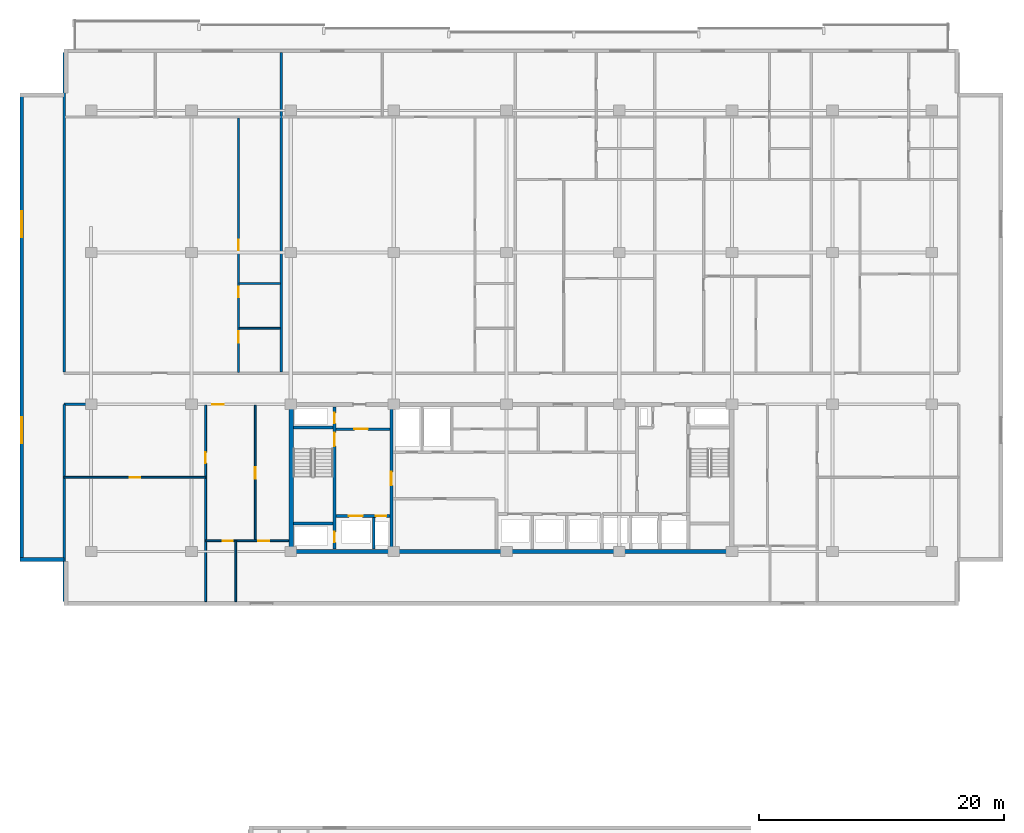
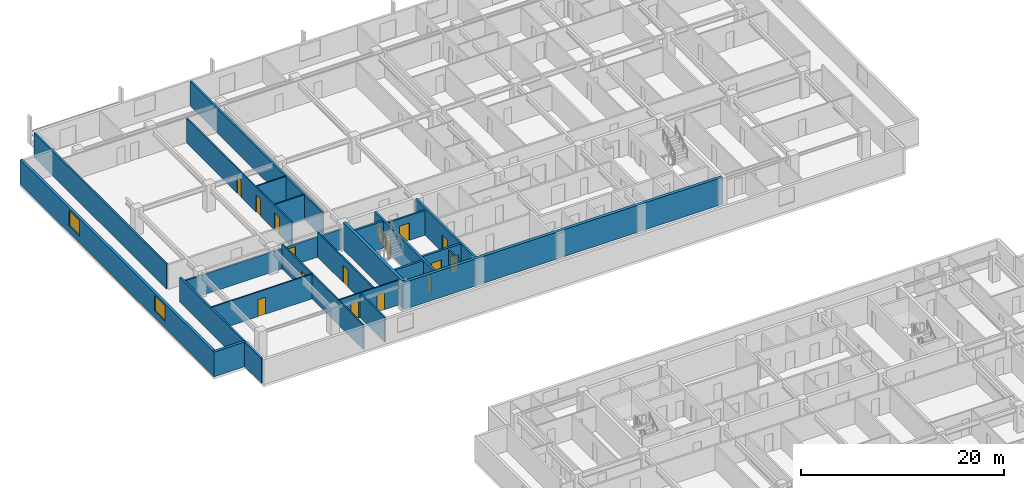
# One storey, part 10 of 21: 23 walls, 16 doors, 2 windows, 18 openings.
"""IFC4 building model written with IfcOpenShell, lengths in metres."""

from ifc_helpers import new_model, si_unit, direction, frame, frame_2d, origin, place, context, subcontext, project, spatial, rectangle, extrude, material, layer, layer_set, type_object, element, fill, save


model = new_model("IFC4")

# Units and contexts
model_context = context("Model", 3, precision=1e-05, world=origin(), true_north=direction((0.0, 1.0)))
body_context = subcontext(model_context, "Body", "Model", "MODEL_VIEW")
ifc_project = project(units=[si_unit("LENGTHUNIT", "METRE"), si_unit("AREAUNIT", "SQUARE_METRE"), si_unit("VOLUMEUNIT", "CUBIC_METRE"), si_unit("PLANEANGLEUNIT", "RADIAN"), si_unit("MASSUNIT", "GRAM", prefix="KILO")], contexts=[model_context])

# Site, building, storey
site_placement = place(None, origin())
site = spatial("IfcSite", under=ifc_project, at=site_placement, CompositionType="ELEMENT")
building_placement = place(site_placement, origin())
building = spatial("IfcBuilding", under=site, at=building_placement, Name="Korimba Cascade Residences", CompositionType="ELEMENT")
storey_placement = place(building_placement, frame((0.0, 0.0, 113.300048828125)))
storey = spatial("IfcBuildingStorey", under=building, at=storey_placement, Name="L32", CompositionType="ELEMENT", Elevation=113.300048828125)

# Wall, openings, windows
ifc_material_1 = material(Name="Precast concrete C40/50", Category="concrete")
ifc_layer_1 = layer(ifc_material_1, 0.300048828125)
ifc_layer_set_1 = layer_set([ifc_layer_1], Name="Precast concrete C40/50")
wall_type_1 = type_object("IfcWallType", Name="EW-STONE-300", PredefinedType="STANDARD", material=ifc_layer_set_1)
wall_1_placement = place(storey_placement, frame((54.14990234375, 92.60009765625, 0.0), z_axis=(0.0, 0.0, 1.0), x_axis=(0.0, -1.0, 0.0)))
wall_1 = element("IfcWall", 1, at=wall_1_placement, inside=storey, type_object=wall_type_1, Name="L32 T1 Perimeter Stone Wall E09", PredefinedType="STANDARD", context=body_context, shape_type="SweptSolid", body=[
    extrude(rectangle(XDim=38.2001953125, YDim=0.300048828125, at=frame_2d((19.10009765625, 0.0))), origin(), (0.0, 0.0, 1.0), 2.969970703125),
])
opening_1_placement = place(wall_1_placement, frame((9.64599609375, 0.0, 0.85009765625)))
opening_1 = element("IfcOpeningElement", 2, at=opening_1_placement, cuts=wall_1, Name="Opening W-03", PredefinedType="OPENING", context=body_context, shape_type="SweptSolid", body=[
    extrude(rectangle(XDim=2.10009765625, YDim=1.85009765625, at=frame_2d((1.050048828125, 0.925048828125))), frame((0.0, 0.16015625, 0.0), z_axis=(0.0, -1.0, 0.0), x_axis=(1.0, 0.0, 0.0)), (0.0, 0.0, 1.0), 0.320068359375),
])
opening_2_placement = place(wall_1_placement, frame((26.4541015625, 0.0, 0.85009765625)))
opening_2 = element("IfcOpeningElement", 3, at=opening_2_placement, cuts=wall_1, Name="Opening W-03", PredefinedType="OPENING", context=body_context, shape_type="SweptSolid", body=[
    extrude(rectangle(XDim=2.10009765625, YDim=1.85009765625, at=frame_2d((1.050048828125, 0.925048828125))), frame((0.0, 0.16015625, 0.0), z_axis=(0.0, -1.0, 0.0), x_axis=(1.0, 0.0, 0.0)), (0.0, 0.0, 1.0), 0.320068359375),
])
ifc_material_2 = material(Name="Double-Glazed Aluminium Window", Category="aluminium")
window_type = type_object("IfcWindowType", Name="WIN-CRN-2100", PartitioningType="DOUBLE_PANEL_HORIZONTAL", PredefinedType="WINDOW", material=ifc_material_2)
window_1_placement = place(opening_1_placement, origin())
window_1 = element("IfcWindow", 4, at=window_1_placement, inside=storey, type_object=window_type, Name="L32 T1 End View Window 9.1", OverallHeight=1.85009765625, OverallWidth=2.10009765625, PartitioningType="DOUBLE_PANEL_HORIZONTAL", PredefinedType="WINDOW", context=body_context, shape_type="SweptSolid", body=[
    extrude(rectangle(XDim=2.10009765625, YDim=1.85009765625, at=frame_2d((1.050048828125, 0.925048828125))), frame((0.0, 0.030029296875, 0.0), z_axis=(0.0, -1.0, 0.0), x_axis=(1.0, 0.0, 0.0)), (0.0, 0.0, 1.0), 0.06005859375),
])
fill(opening_1, window_1)
window_2_placement = place(opening_2_placement, origin())
window_2 = element("IfcWindow", 5, at=window_2_placement, inside=storey, type_object=window_type, Name="L32 T1 End View Window 9.2", OverallHeight=1.85009765625, OverallWidth=2.10009765625, PartitioningType="DOUBLE_PANEL_HORIZONTAL", PredefinedType="WINDOW", context=body_context, shape_type="SweptSolid", body=[
    extrude(rectangle(XDim=2.10009765625, YDim=1.85009765625, at=frame_2d((1.050048828125, 0.925048828125))), frame((0.0, 0.030029296875, 0.0), z_axis=(0.0, -1.0, 0.0), x_axis=(1.0, 0.0, 0.0)), (0.0, 0.0, 1.0), 0.06005859375),
])
fill(opening_2, window_2)

# Walls
wall_2_placement = place(storey_placement, frame((54.0, 54.550048828125, 0.0), z_axis=(0.0, 0.0, 1.0), x_axis=(1.0, 0.0, 0.0)))
element("IfcWall", 6, at=wall_2_placement, inside=storey, type_object=wall_type_1, Name="L32 T1 Perimeter Stone Wall E10", PredefinedType="STANDARD", context=body_context, shape_type="SweptSolid", body=[
    extrude(rectangle(XDim=3.60009765625, YDim=0.300048828125, at=frame_2d((1.800048828125, 0.0))), origin(), (0.0, 0.0, 1.0), 2.969970703125),
])
ifc_material_3 = material(Name="Concrete C65/80", Category="concrete")
ifc_layer_2 = layer(ifc_material_3, 0.35009765625)
ifc_layer_set_2 = layer_set([ifc_layer_2], Name="Concrete C65/80")
wall_type_2 = type_object("IfcWallType", Name="WAL-CORE-350", PredefinedType="SHEAR", material=ifc_layer_set_2)
wall_3_placement = place(storey_placement, frame((75.949951171875, 55.199951171875, 0.0), z_axis=(0.0, 0.0, 1.0), x_axis=(1.0, 0.0, 0.0)))
element("IfcWall", 7, at=wall_3_placement, inside=storey, type_object=wall_type_2, Name="L32 Core Shear Wall CW-L32-T1-S", PredefinedType="SHEAR", context=body_context, shape_type="SweptSolid", body=[
    extrude(rectangle(XDim=36.300048828125, YDim=0.35009765625, at=frame_2d((18.14990234375, 0.0))), origin(), (0.0, 0.0, 1.0), 3.25),
])
wall_4_placement = place(storey_placement, frame((76.125, 55.375, 0.0), z_axis=(0.0, 0.0, 1.0), x_axis=(0.0, 1.0, 0.0)))
element("IfcWall", 8, at=wall_4_placement, inside=storey, type_object=wall_type_2, Name="L32 Core Shear Wall CW-L32-T1-W", PredefinedType="SHEAR", context=body_context, shape_type="SweptSolid", body=[
    extrude(rectangle(XDim=11.64990234375, YDim=0.35009765625, at=frame_2d((5.824951171875, 0.0))), origin(), (0.0, 0.0, 1.0), 3.25),
])
ifc_layer_3 = layer(ifc_material_1, 0.199951171875)
ifc_layer_set_3 = layer_set([ifc_layer_3], Name="Precast concrete C40/50")
wall_type_3 = type_object("IfcWallType", Name="WAL-IT-200", PredefinedType="PARTITIONING", material=ifc_layer_set_3)
wall_5_placement = place(storey_placement, frame((57.60009765625, 51.10009765625, 0.0), z_axis=(0.0, 0.0, 1.0), x_axis=(0.0, 1.0, 0.0)))
element("IfcWall", 9, at=wall_5_placement, inside=storey, type_object=wall_type_3, Name="L32 Partition Wall WAL-L32-T1-FW-WL", PredefinedType="PARTITIONING", context=body_context, shape_type="SweptSolid", body=[
    extrude(rectangle(XDim=16.099853515625, YDim=0.199951171875, at=frame_2d((8.0498046875, 0.0))), origin(), (0.0, 0.0, 1.0), 2.969970703125),
])

# Wall, opening, door
wall_6_placement = place(storey_placement, frame((57.60009765625, 67.199951171875, 0.0), z_axis=(0.0, 0.0, 1.0), x_axis=(1.0, 0.0, 0.0)))
wall_6 = element("IfcWall", 10, at=wall_6_placement, inside=storey, type_object=wall_type_3, Name="L32 Partition Wall WAL-L32-T1-FW-N", PredefinedType="PARTITIONING", context=body_context, shape_type="SweptSolid", body=[
    extrude(rectangle(XDim=18.349853515625, YDim=0.199951171875, at=frame_2d((9.1748046875, 0.0))), origin(), (0.0, 0.0, 1.0), 2.433349609375),
])
opening_3_placement = place(wall_6_placement, frame((12.07470703125, 0.0, 0.0)))
opening_3 = element("IfcOpeningElement", 11, at=opening_3_placement, cuts=wall_6, Name="Opening D-UN1", PredefinedType="OPENING", context=body_context, shape_type="SweptSolid", body=[
    extrude(rectangle(XDim=0.949951171875, YDim=2.14990234375, at=frame_2d((0.47509765625, 1.074951171875))), frame((0.0, 0.10986328125, 0.0), z_axis=(0.0, -1.0, 0.0), x_axis=(1.0, 0.0, 0.0)), (0.0, 0.0, 1.0), 0.219970703125),
])
ifc_material_4 = material(Name="Fire-Rated Hardwood Apartment Entrance Door", Category="wood")
door_type_1 = type_object("IfcDoorType", Name="DR-FD60-950", OperationType="NOTDEFINED", PredefinedType="DOOR", material=ifc_material_4)
door_1_placement = place(opening_3_placement, origin())
door_1 = element("IfcDoor", 12, at=door_1_placement, inside=storey, type_object=door_type_1, Name="L32-T1-FW Entrance Door", OperationType="SINGLE_SWING_LEFT", OverallHeight=2.14990234375, OverallWidth=0.949951171875, PredefinedType="DOOR", context=body_context, shape_type="SweptSolid", body=[
    extrude(rectangle(XDim=0.949951171875, YDim=2.14990234375, at=frame_2d((0.47509765625, 1.074951171875))), frame((0.0, 0.02490234375, 0.0), z_axis=(0.0, -1.0, 0.0), x_axis=(1.0, 0.0, 0.0)), (0.0, 0.0, 1.0), 0.050048828125),
])
fill(opening_3, door_1)

# Walls
for number, where, z_axis, x_axis, name in (
    (13, (57.60009765625, 69.830078125, 0.0), (0.0, 0.0, 1.0), (0.0, 1.0, 0.0), "L32 Partition Wall WAL-L32-T1-BNDWL"),
    (14, (75.32470703125, 69.830078125, 0.0), (0.0, 0.0, 1.0), (0.0, 1.0, 0.0), "L32 Partition Wall WAL-L32-T1-DEM-1"),
):
    element("IfcWall", number, at=place(storey_placement, frame(where, z_axis=z_axis, x_axis=x_axis)), inside=storey, type_object=wall_type_3, Name=name, PredefinedType="PARTITIONING", context=body_context, shape_type="SweptSolid", body=[
        extrude(rectangle(XDim=26.06982421875, YDim=0.199951171875, at=frame_2d((13.034912109375, 0.0))), origin(), (0.0, 0.0, 1.0), 2.969970703125),
    ])

# Wall, opening, door
ifc_material_5 = material(Name="Insulated Acoustic Stud Partition", Category="gypsum")
ifc_layer_4 = layer(ifc_material_5, 0.14990234375)
ifc_layer_set_4 = layer_set([ifc_layer_4], Name="Insulated Acoustic Stud Partition")
wall_type_4 = type_object("IfcWallType", Name="WAL-PART-150", PredefinedType="PARTITIONING", material=ifc_layer_set_4)
wall_7_placement = place(storey_placement, frame((57.60009765625, 61.25, 0.0), z_axis=(0.0, 0.0, 1.0), x_axis=(1.0, 0.0, 0.0)))
wall_7 = element("IfcWall", 15, at=wall_7_placement, inside=storey, type_object=wall_type_4, Name="L32 Partition Wall WAL-L32-T1-FW-STH", PredefinedType="PARTITIONING", context=body_context, shape_type="SweptSolid", body=[
    extrude(rectangle(XDim=11.5498046875, YDim=0.14990234375, at=frame_2d((5.77490234375, 0.0))), origin(), (0.0, 0.0, 1.0), 2.969970703125),
])
opening_4_placement = place(wall_7_placement, frame((5.35498046875, 0.0, 0.0)))
opening_4 = element("IfcOpeningElement", 16, at=opening_4_placement, cuts=wall_7, Name="Opening D-BT1", PredefinedType="OPENING", context=body_context, shape_type="SweptSolid", body=[
    extrude(rectangle(XDim=0.840087890625, YDim=2.0400390625, at=frame_2d((0.419921875, 1.02001953125))), frame((0.0, 0.0849609375, 0.0), z_axis=(0.0, -1.0, 0.0), x_axis=(1.0, 0.0, 0.0)), (0.0, 0.0, 1.0), 0.169921875),
])
ifc_material_6 = material(Name="Moisture-Resistant Bathroom Timber Door", Category="wood")
door_type_2 = type_object("IfcDoorType", Name="DR-INT-850", OperationType="NOTDEFINED", PredefinedType="DOOR", material=ifc_material_6)
door_2_placement = place(opening_4_placement, origin())
door_2 = element("IfcDoor", 17, at=door_2_placement, inside=storey, type_object=door_type_2, Name="L32-T1-FW Dressing Store Door", OperationType="SINGLE_SWING_RIGHT", OverallHeight=2.0400390625, OverallWidth=0.840087890625, PredefinedType="DOOR", context=body_context, shape_type="SweptSolid", body=[
    extrude(rectangle(XDim=0.840087890625, YDim=2.0400390625, at=frame_2d((0.419921875, 1.02001953125))), frame((0.0, 0.02490234375, 0.0), z_axis=(0.0, -1.0, 0.0), x_axis=(1.0, 0.0, 0.0)), (0.0, 0.0, 1.0), 0.050048828125),
])
fill(opening_4, door_2)

wall_8_placement = place(storey_placement, frame((69.14990234375, 51.10009765625, 0.0), z_axis=(0.0, 0.0, 1.0), x_axis=(0.0, 1.0, 0.0)))
wall_8 = element("IfcWall", 18, at=wall_8_placement, inside=storey, type_object=wall_type_4, Name="L32 Partition Wall WAL-L32-T1-FW-STV", PredefinedType="PARTITIONING", context=body_context, shape_type="SweptSolid", body=[
    extrude(rectangle(XDim=16.0498046875, YDim=0.14990234375, at=frame_2d((8.02490234375, 0.0))), origin(), (0.0, 0.0, 1.0), 2.969970703125),
])
opening_5_placement = place(wall_8_placement, frame((11.300048828125, 0.0, 0.0)))
opening_5 = element("IfcOpeningElement", 19, at=opening_5_placement, cuts=wall_8, Name="Opening D-IN2", PredefinedType="OPENING", context=body_context, shape_type="SweptSolid", body=[
    extrude(rectangle(XDim=0.8798828125, YDim=2.06005859375, at=frame_2d((0.43994140625, 1.030029296875))), frame((0.0, 0.0849609375, 0.0), z_axis=(0.0, -1.0, 0.0), x_axis=(1.0, 0.0, 0.0)), (0.0, 0.0, 1.0), 0.169921875),
])
ifc_material_7 = material(Name="Acoustic Timber Bedroom Door", Category="wood")
door_type_3 = type_object("IfcDoorType", Name="DR-INT-880", OperationType="NOTDEFINED", PredefinedType="DOOR", material=ifc_material_7)
door_3_placement = place(opening_5_placement, origin())
door_3 = element("IfcDoor", 20, at=door_3_placement, inside=storey, type_object=door_type_3, Name="L32-T1-FW Study Door", OperationType="SINGLE_SWING_LEFT", OverallHeight=2.06005859375, OverallWidth=0.8798828125, PredefinedType="DOOR", context=body_context, shape_type="SweptSolid", body=[
    extrude(rectangle(XDim=0.8798828125, YDim=2.06005859375, at=frame_2d((0.43994140625, 1.030029296875))), frame((0.0, 0.02490234375, 0.0), z_axis=(0.0, -1.0, 0.0), x_axis=(1.0, 0.0, 0.0)), (0.0, 0.0, 1.0), 0.050048828125),
])
fill(opening_5, door_3)

wall_9_placement = place(storey_placement, frame((73.199951171875, 56.070068359375, 0.0), z_axis=(0.0, 0.0, 1.0), x_axis=(0.0, 1.0, 0.0)))
wall_9 = element("IfcWall", 21, at=wall_9_placement, inside=storey, type_object=wall_type_4, Name="L32 Partition Wall WAL-L32-T1-FW-VN", PredefinedType="PARTITIONING", context=body_context, shape_type="SweptSolid", body=[
    extrude(rectangle(XDim=11.079833984375, YDim=0.14990234375, at=frame_2d((5.5400390625, 0.0))), origin(), (0.0, 0.0, 1.0), 2.969970703125),
])
opening_6_placement = place(wall_9_placement, frame((5.080078125, 0.0, 0.0)))
opening_6 = element("IfcOpeningElement", 22, at=opening_6_placement, cuts=wall_9, Name="Opening D-IN1", PredefinedType="OPENING", context=body_context, shape_type="SweptSolid", body=[
    extrude(rectangle(XDim=0.919921875, YDim=2.080078125, at=frame_2d((0.4599609375, 1.0400390625))), frame((0.0, 0.0849609375, 0.0), z_axis=(0.0, -1.0, 0.0), x_axis=(1.0, 0.0, 0.0)), (0.0, 0.0, 1.0), 0.169921875),
])
ifc_material_8 = material(Name="Acoustic Timber Living Door", Category="wood")
door_type_4 = type_object("IfcDoorType", Name="DR-INT-920", OperationType="NOTDEFINED", PredefinedType="DOOR", material=ifc_material_8)
door_4_placement = place(opening_6_placement, origin())
door_4 = element("IfcDoor", 23, at=door_4_placement, inside=storey, type_object=door_type_4, Name="L32-T1-FW Living Door", OperationType="SINGLE_SWING_RIGHT", OverallHeight=2.080078125, OverallWidth=0.919921875, PredefinedType="DOOR", context=body_context, shape_type="SweptSolid", body=[
    extrude(rectangle(XDim=0.919921875, YDim=2.080078125, at=frame_2d((0.4599609375, 1.0400390625))), frame((0.0, 0.02490234375, 0.0), z_axis=(0.0, -1.0, 0.0), x_axis=(1.0, 0.0, 0.0)), (0.0, 0.0, 1.0), 0.050048828125),
])
fill(opening_6, door_4)

# Wall
wall_10_placement = place(storey_placement, frame((71.60009765625, 51.10009765625, 0.0), z_axis=(0.0, 0.0, 1.0), x_axis=(0.0, 1.0, 0.0)))
element("IfcWall", 24, at=wall_10_placement, inside=storey, type_object=wall_type_4, Name="L32 Partition Wall WAL-L32-T1-FW-VS", PredefinedType="PARTITIONING", context=body_context, shape_type="SweptSolid", body=[
    extrude(rectangle(XDim=4.969970703125, YDim=0.14990234375, at=frame_2d((2.48486328125, 0.0))), origin(), (0.0, 0.0, 1.0), 2.969970703125),
])

# Wall, openings, doors
wall_11_placement = place(storey_placement, frame((69.169921875, 56.070068359375, 0.0), z_axis=(0.0, 0.0, 1.0), x_axis=(1.0, 0.0, 0.0)))
wall_11 = element("IfcWall", 25, at=wall_11_placement, inside=storey, type_object=wall_type_4, Name="L32 Partition Wall WAL-L32-T1-FW-H", PredefinedType="PARTITIONING", context=body_context, shape_type="SweptSolid", body=[
    extrude(rectangle(XDim=6.760009765625, YDim=0.14990234375, at=frame_2d((3.3798828125, 0.0))), origin(), (0.0, 0.0, 1.0), 2.969970703125),
])
opening_7_placement = place(wall_11_placement, frame((1.3623046875, 0.0, 0.0)))
opening_7 = element("IfcOpeningElement", 26, at=opening_7_placement, cuts=wall_11, Name="Opening D-BT1", PredefinedType="OPENING", context=body_context, shape_type="SweptSolid", body=[
    extrude(rectangle(XDim=0.840087890625, YDim=2.0400390625, at=frame_2d((0.419921875, 1.02001953125))), frame((0.0, 0.0849609375, 0.0), z_axis=(0.0, -1.0, 0.0), x_axis=(1.0, 0.0, 0.0)), (0.0, 0.0, 1.0), 0.169921875),
])
opening_8_placement = place(wall_11_placement, frame((4.276611328125, 0.0, 0.0)))
opening_8 = element("IfcOpeningElement", 27, at=opening_8_placement, cuts=wall_11, Name="Opening D-IN2", PredefinedType="OPENING", context=body_context, shape_type="SweptSolid", body=[
    extrude(rectangle(XDim=0.8798828125, YDim=2.06005859375, at=frame_2d((0.43994140625, 1.030029296875))), frame((0.0, 0.0849609375, 0.0), z_axis=(0.0, -1.0, 0.0), x_axis=(1.0, 0.0, 0.0)), (0.0, 0.0, 1.0), 0.169921875),
])
door_5_placement = place(opening_7_placement, origin())
door_5 = element("IfcDoor", 28, at=door_5_placement, inside=storey, type_object=door_type_2, Name="L32-T1-FW Bathroom Door", OperationType="SINGLE_SWING_LEFT", OverallHeight=2.0400390625, OverallWidth=0.840087890625, PredefinedType="DOOR", context=body_context, shape_type="SweptSolid", body=[
    extrude(rectangle(XDim=0.840087890625, YDim=2.0400390625, at=frame_2d((0.419921875, 1.02001953125))), frame((0.0, 0.02490234375, 0.0), z_axis=(0.0, -1.0, 0.0), x_axis=(1.0, 0.0, 0.0)), (0.0, 0.0, 1.0), 0.050048828125),
])
fill(opening_7, door_5)
door_6_placement = place(opening_8_placement, origin())
door_6 = element("IfcDoor", 29, at=door_6_placement, inside=storey, type_object=door_type_3, Name="L32-T1-FW Bedroom Door", OperationType="SINGLE_SWING_RIGHT", OverallHeight=2.06005859375, OverallWidth=0.8798828125, PredefinedType="DOOR", context=body_context, shape_type="SweptSolid", body=[
    extrude(rectangle(XDim=0.8798828125, YDim=2.06005859375, at=frame_2d((0.43994140625, 1.030029296875))), frame((0.0, 0.02490234375, 0.0), z_axis=(0.0, -1.0, 0.0), x_axis=(1.0, 0.0, 0.0)), (0.0, 0.0, 1.0), 0.050048828125),
])
fill(opening_8, door_6)

# Walls
for number, where, z_axis, x_axis, name in (
    (30, (71.884765625, 73.419921875, 0.0), (0.0, 0.0, 1.0), (1.0, 0.0, 0.0), "L32 Partition Wall WAL-L32-T1-U01-WCH"),
    (31, (71.884765625, 77.070068359375, 0.0), (0.0, 0.0, 1.0), (1.0, 0.0, 0.0), "L32 Partition Wall WAL-L32-T1-U01-WCH2"),
):
    element("IfcWall", number, at=place(storey_placement, frame(where, z_axis=z_axis, x_axis=x_axis)), inside=storey, type_object=wall_type_4, Name=name, PredefinedType="PARTITIONING", context=body_context, shape_type="SweptSolid", body=[
        extrude(rectangle(XDim=3.35986328125, YDim=0.14990234375, at=frame_2d((1.679931640625, 0.0))), origin(), (0.0, 0.0, 1.0), 2.969970703125),
    ])

# Wall, openings, doors
wall_12_placement = place(storey_placement, frame((71.82470703125, 69.81005859375, 0.0), z_axis=(0.0, 0.0, 1.0), x_axis=(0.0, 1.0, 0.0)))
wall_12 = element("IfcWall", 32, at=wall_12_placement, inside=storey, type_object=wall_type_4, Name="L32 Partition Wall WAL-L32-T1-U01-WCV", PredefinedType="PARTITIONING", context=body_context, shape_type="SweptSolid", body=[
    extrude(rectangle(XDim=20.780029296875, YDim=0.14990234375, at=frame_2d((10.39013671875, 0.0))), origin(), (0.0, 0.0, 1.0), 2.969970703125),
])
opening_9_placement = place(wall_12_placement, frame((2.406005859375, 0.0, 0.0)))
opening_9 = element("IfcOpeningElement", 33, at=opening_9_placement, cuts=wall_12, Name="Opening D-AC1", PredefinedType="OPENING", context=body_context, shape_type="SweptSolid", body=[
    extrude(rectangle(XDim=0.9599609375, YDim=2.10009765625, at=frame_2d((0.47998046875, 1.050048828125))), frame((0.0, 0.0849609375, 0.0), z_axis=(0.0, -1.0, 0.0), x_axis=(1.0, 0.0, 0.0)), (0.0, 0.0, 1.0), 0.169921875),
])
opening_10_placement = place(wall_12_placement, frame((6.132568359375, 0.0, 0.0)))
opening_10 = element("IfcOpeningElement", 34, at=opening_10_placement, cuts=wall_12, Name="Opening D-IN2", PredefinedType="OPENING", context=body_context, shape_type="SweptSolid", body=[
    extrude(rectangle(XDim=0.8798828125, YDim=2.06005859375, at=frame_2d((0.43994140625, 1.030029296875))), frame((0.0, 0.0849609375, 0.0), z_axis=(0.0, -1.0, 0.0), x_axis=(1.0, 0.0, 0.0)), (0.0, 0.0, 1.0), 0.169921875),
])
opening_11_placement = place(wall_12_placement, frame((9.969970703125, 0.0, 0.0)))
opening_11 = element("IfcOpeningElement", 35, at=opening_11_placement, cuts=wall_12, Name="Opening D-BT1", PredefinedType="OPENING", context=body_context, shape_type="SweptSolid", body=[
    extrude(rectangle(XDim=0.840087890625, YDim=2.0400390625, at=frame_2d((0.419921875, 1.02001953125))), frame((0.0, 0.0849609375, 0.0), z_axis=(0.0, -1.0, 0.0), x_axis=(1.0, 0.0, 0.0)), (0.0, 0.0, 1.0), 0.169921875),
])
ifc_material_9 = material(Name="Accessible Acoustic Timber WC Door", Category="wood")
door_type_5 = type_object("IfcDoorType", Name="DR-ACC-950", OperationType="NOTDEFINED", PredefinedType="DOOR", material=ifc_material_9)
door_7_placement = place(opening_9_placement, origin())
door_7 = element("IfcDoor", 36, at=door_7_placement, inside=storey, type_object=door_type_5, Name="L32-T1-U01 Accessible WC Door", OperationType="SINGLE_SWING_RIGHT", OverallHeight=2.10009765625, OverallWidth=0.9599609375, PredefinedType="DOOR", context=body_context, shape_type="SweptSolid", body=[
    extrude(rectangle(XDim=0.9599609375, YDim=2.10009765625, at=frame_2d((0.47998046875, 1.050048828125))), frame((0.0, 0.02490234375, 0.0), z_axis=(0.0, -1.0, 0.0), x_axis=(1.0, 0.0, 0.0)), (0.0, 0.0, 1.0), 0.050048828125),
])
fill(opening_9, door_7)
door_8_placement = place(opening_11_placement, origin())
door_8 = element("IfcDoor", 37, at=door_8_placement, inside=storey, type_object=door_type_2, Name="L32-T1-U01 Suite Store Door", OperationType="SINGLE_SWING_RIGHT", OverallHeight=2.0400390625, OverallWidth=0.840087890625, PredefinedType="DOOR", context=body_context, shape_type="SweptSolid", body=[
    extrude(rectangle(XDim=0.840087890625, YDim=2.0400390625, at=frame_2d((0.419921875, 1.02001953125))), frame((0.0, 0.02490234375, 0.0), z_axis=(0.0, -1.0, 0.0), x_axis=(1.0, 0.0, 0.0)), (0.0, 0.0, 1.0), 0.050048828125),
])
fill(opening_11, door_8)
door_9_placement = place(opening_10_placement, origin())
door_9 = element("IfcDoor", 38, at=door_9_placement, inside=storey, type_object=door_type_3, Name="L32-T1-U01 Restroom WC Door", OperationType="SINGLE_SWING_LEFT", OverallHeight=2.06005859375, OverallWidth=0.8798828125, PredefinedType="DOOR", context=body_context, shape_type="SweptSolid", body=[
    extrude(rectangle(XDim=0.8798828125, YDim=2.06005859375, at=frame_2d((0.43994140625, 1.030029296875))), frame((0.0, 0.02490234375, 0.0), z_axis=(0.0, -1.0, 0.0), x_axis=(1.0, 0.0, 0.0)), (0.0, 0.0, 1.0), 0.050048828125),
])
fill(opening_10, door_9)

# Wall
ifc_material_10 = material(Name="Concrete C40/50", Category="concrete")
ifc_layer_5 = layer(ifc_material_10, 0.199951171875)
ifc_layer_set_5 = layer_set([ifc_layer_5], Name="Concrete C40/50")
wall_type_5 = type_object("IfcWallType", Name="WAL-PART-200", PredefinedType="PARTITIONING", material=ifc_layer_set_5)
wall_13_placement = place(storey_placement, frame((82.85009765625, 55.39990234375, 0.0), z_axis=(0.0, 0.0, 1.0), x_axis=(0.0, 1.0, 0.0)))
element("IfcWall", 39, at=wall_13_placement, inside=storey, type_object=wall_type_5, Name="L32 Partition Wall CW-L32-T1-FFLDIV", PredefinedType="PARTITIONING", context=body_context, shape_type="SweptSolid", body=[
    extrude(rectangle(XDim=2.56005859375, YDim=0.199951171875, at=frame_2d((1.280029296875, 0.0))), origin(), (0.0, 0.0, 1.0), 2.969970703125),
])

# Wall, opening, door
wall_14_placement = place(storey_placement, frame((79.7900390625, 65.179931640625, 0.0), z_axis=(0.0, 0.0, 1.0), x_axis=(1.0, 0.0, 0.0)))
wall_14 = element("IfcWall", 40, at=wall_14_placement, inside=storey, type_object=wall_type_5, Name="L32 Partition Wall CW-L32-T1-FFLN", PredefinedType="PARTITIONING", context=body_context, shape_type="SweptSolid", body=[
    extrude(rectangle(XDim=4.389892578125, YDim=0.199951171875, at=frame_2d((2.19482421875, 0.0))), origin(), (0.0, 0.0, 1.0), 2.969970703125),
])
opening_12_placement = place(wall_14_placement, frame((1.5, 0.0, 0.0)))
opening_12 = element("IfcOpeningElement", 41, at=opening_12_placement, cuts=wall_14, Name="Opening D-FD1", PredefinedType="OPENING", context=body_context, shape_type="SweptSolid", body=[
    extrude(rectangle(XDim=1.10009765625, YDim=2.10009765625, at=frame_2d((0.550048828125, 1.050048828125))), frame((0.0, 0.10986328125, 0.0), z_axis=(0.0, -1.0, 0.0), x_axis=(1.0, 0.0, 0.0)), (0.0, 0.0, 1.0), 0.219970703125),
])
ifc_material_11 = material(Name="Fire-Rated Steel Core Door", Category="steel")
door_type_6 = type_object("IfcDoorType", Name="DR-FD120-1100", OperationType="NOTDEFINED", PredefinedType="DOOR", material=ifc_material_11)
door_10_placement = place(opening_12_placement, origin())
door_10 = element("IfcDoor", 42, at=door_10_placement, inside=storey, type_object=door_type_6, Name="L32 West Firefighting Lobby Door", OperationType="SINGLE_SWING_RIGHT", OverallHeight=2.10009765625, OverallWidth=1.10009765625, PredefinedType="DOOR", context=body_context, shape_type="SweptSolid", body=[
    extrude(rectangle(XDim=1.10009765625, YDim=2.10009765625, at=frame_2d((0.550048828125, 1.050048828125))), frame((0.0, 0.02490234375, 0.0), z_axis=(0.0, -1.0, 0.0), x_axis=(1.0, 0.0, 0.0)), (0.0, 0.0, 1.0), 0.050048828125),
])
fill(opening_12, door_10)

# Wall, openings, doors
ifc_material_12 = material(Name="Concrete C50/60", Category="concrete")
ifc_layer_6 = layer(ifc_material_12, 0.25)
ifc_layer_set_6 = layer_set([ifc_layer_6], Name="Concrete C50/60")
wall_type_6 = type_object("IfcWallType", Name="WAL-SHAFT-250", PredefinedType="SHEAR", material=ifc_layer_set_6)
wall_15_placement = place(storey_placement, frame((79.6650390625, 55.39990234375, 0.0), z_axis=(0.0, 0.0, 1.0), x_axis=(0.0, 1.0, 0.0)))
wall_15 = element("IfcWall", 43, at=wall_15_placement, inside=storey, type_object=wall_type_6, Name="L32 Core Shear Wall CW-L32-T1-STW1E", PredefinedType="SHEAR", context=body_context, shape_type="SweptSolid", body=[
    extrude(rectangle(XDim=11.60009765625, YDim=0.25, at=frame_2d((5.800048828125, 0.0))), origin(), (0.0, 0.0, 1.0), 3.25),
])
opening_13_placement = place(wall_15_placement, frame((0.550048828125, 0.0, 0.0)))
opening_13 = element("IfcOpeningElement", 44, at=opening_13_placement, cuts=wall_15, Name="Opening D-RS1", PredefinedType="OPENING", context=body_context, shape_type="SweptSolid", body=[
    extrude(rectangle(XDim=0.85009765625, YDim=2.050048828125, at=frame_2d((0.425048828125, 1.02490234375))), frame((0.0, 0.135009765625, 0.0), z_axis=(0.0, -1.0, 0.0), x_axis=(1.0, 0.0, 0.0)), (0.0, 0.0, 1.0), 0.27001953125),
])
opening_14_placement = place(wall_15_placement, frame((8.39990234375, 0.0, 0.0)))
opening_14 = element("IfcOpeningElement", 45, at=opening_14_placement, cuts=wall_15, Name="Opening D-FD1", PredefinedType="OPENING", context=body_context, shape_type="SweptSolid", body=[
    extrude(rectangle(XDim=1.10009765625, YDim=2.10009765625, at=frame_2d((0.550048828125, 1.050048828125))), frame((0.0, 0.135009765625, 0.0), z_axis=(0.0, -1.0, 0.0), x_axis=(1.0, 0.0, 0.0)), (0.0, 0.0, 1.0), 0.27001953125),
])
opening_15_placement = place(wall_15_placement, frame((10.25, 0.0, 0.0)))
opening_15 = element("IfcOpeningElement", 46, at=opening_15_placement, cuts=wall_15, Name="Opening D-RS1", PredefinedType="OPENING", context=body_context, shape_type="SweptSolid", body=[
    extrude(rectangle(XDim=0.85009765625, YDim=2.050048828125, at=frame_2d((0.425048828125, 1.02490234375))), frame((0.0, 0.135009765625, 0.0), z_axis=(0.0, -1.0, 0.0), x_axis=(1.0, 0.0, 0.0)), (0.0, 0.0, 1.0), 0.27001953125),
])
door_11_placement = place(opening_14_placement, origin())
door_11 = element("IfcDoor", 47, at=door_11_placement, inside=storey, type_object=door_type_6, Name="L32 Fire Stair ST-W1 Door", OperationType="SINGLE_SWING_LEFT", OverallHeight=2.10009765625, OverallWidth=1.10009765625, PredefinedType="DOOR", context=body_context, shape_type="SweptSolid", body=[
    extrude(rectangle(XDim=1.10009765625, YDim=2.10009765625, at=frame_2d((0.550048828125, 1.050048828125))), frame((0.0, 0.02490234375, 0.0), z_axis=(0.0, -1.0, 0.0), x_axis=(1.0, 0.0, 0.0)), (0.0, 0.0, 1.0), 0.050048828125),
])
fill(opening_14, door_11)
ifc_material_13 = material(Name="Fire-Rated Steel Riser Access Door", Category="steel")
door_type_7 = type_object("IfcDoorType", Name="DR-FD60-850", OperationType="NOTDEFINED", PredefinedType="DOOR", material=ifc_material_13)
door_12_placement = place(opening_13_placement, origin())
door_12 = element("IfcDoor", 48, at=door_12_placement, inside=storey, type_object=door_type_7, Name="L32 Smoke Riser Access Door", OperationType="SINGLE_SWING_RIGHT", OverallHeight=2.050048828125, OverallWidth=0.85009765625, PredefinedType="DOOR", context=body_context, shape_type="SweptSolid", body=[
    extrude(rectangle(XDim=0.85009765625, YDim=2.050048828125, at=frame_2d((0.425048828125, 1.02490234375))), frame((0.0, 0.02490234375, 0.0), z_axis=(0.0, -1.0, 0.0), x_axis=(1.0, 0.0, 0.0)), (0.0, 0.0, 1.0), 0.050048828125),
])
fill(opening_13, door_12)
door_13_placement = place(opening_15_placement, origin())
door_13 = element("IfcDoor", 49, at=door_13_placement, inside=storey, type_object=door_type_7, Name="L32 Hydrant Riser Access Door", OperationType="SINGLE_SWING_RIGHT", OverallHeight=2.050048828125, OverallWidth=0.85009765625, PredefinedType="DOOR", context=body_context, shape_type="SweptSolid", body=[
    extrude(rectangle(XDim=0.85009765625, YDim=2.050048828125, at=frame_2d((0.425048828125, 1.02490234375))), frame((0.0, 0.02490234375, 0.0), z_axis=(0.0, -1.0, 0.0), x_axis=(1.0, 0.0, 0.0)), (0.0, 0.0, 1.0), 0.050048828125),
])
fill(opening_15, door_13)

# Walls
for number, where, z_axis, x_axis, name in (
    (50, (76.300048828125, 57.47509765625, 0.0), (0.0, 0.0, 1.0), (1.0, 0.0, 0.0), "L32 Core Shear Wall CW-L32-T1-STW1S"),
    (51, (76.300048828125, 65.324951171875, 0.0), (0.0, 0.0, 1.0), (1.0, 0.0, 0.0), "L32 Core Shear Wall CW-L32-T1-STW1N"),
):
    element("IfcWall", number, at=place(storey_placement, frame(where, z_axis=z_axis, x_axis=x_axis)), inside=storey, type_object=wall_type_6, Name=name, PredefinedType="SHEAR", context=body_context, shape_type="SweptSolid", body=[
        extrude(rectangle(XDim=3.239990234375, YDim=0.25, at=frame_2d((1.6201171875, 0.0))), origin(), (0.0, 0.0, 1.0), 3.25),
    ])

# Wall, openings, doors
wall_16_placement = place(storey_placement, frame((79.7900390625, 58.10009765625, 0.0), z_axis=(0.0, 0.0, 1.0), x_axis=(1.0, 0.0, 0.0)))
wall_16 = element("IfcWall", 52, at=wall_16_placement, inside=storey, type_object=wall_type_6, Name="L32 Core Shear Wall CW-L32-T1-FFLS", PredefinedType="SHEAR", context=body_context, shape_type="SweptSolid", body=[
    extrude(rectangle(XDim=4.389892578125, YDim=0.25, at=frame_2d((2.19482421875, 0.0))), origin(), (0.0, 0.0, 1.0), 3.25),
])
opening_16_placement = place(wall_16_placement, frame((1.050048828125, 0.0, 0.0)))
opening_16 = element("IfcOpeningElement", 53, at=opening_16_placement, cuts=wall_16, Name="Opening LD-01", PredefinedType="OPENING", context=body_context, shape_type="SweptSolid", body=[
    extrude(rectangle(XDim=1.1201171875, YDim=2.1201171875, at=frame_2d((0.56005859375, 1.06005859375))), frame((0.0, 0.135009765625, 0.0), z_axis=(0.0, -1.0, 0.0), x_axis=(1.0, 0.0, 0.0)), (0.0, 0.0, 1.0), 0.27001953125),
])
opening_17_placement = place(wall_16_placement, frame((3.260009765625, 0.0, 0.0)))
opening_17 = element("IfcOpeningElement", 54, at=opening_17_placement, cuts=wall_16, Name="Opening D-RS1", PredefinedType="OPENING", context=body_context, shape_type="SweptSolid", body=[
    extrude(rectangle(XDim=0.85009765625, YDim=2.050048828125, at=frame_2d((0.425048828125, 1.02490234375))), frame((0.0, 0.135009765625, 0.0), z_axis=(0.0, -1.0, 0.0), x_axis=(1.0, 0.0, 0.0)), (0.0, 0.0, 1.0), 0.27001953125),
])
door_14_placement = place(opening_17_placement, origin())
door_14 = element("IfcDoor", 55, at=door_14_placement, inside=storey, type_object=door_type_7, Name="L32 Pressurisation Riser Door", OperationType="SINGLE_SWING_LEFT", OverallHeight=2.050048828125, OverallWidth=0.85009765625, PredefinedType="DOOR", context=body_context, shape_type="SweptSolid", body=[
    extrude(rectangle(XDim=0.85009765625, YDim=2.050048828125, at=frame_2d((0.425048828125, 1.02490234375))), frame((0.0, 0.02490234375, 0.0), z_axis=(0.0, -1.0, 0.0), x_axis=(1.0, 0.0, 0.0)), (0.0, 0.0, 1.0), 0.050048828125),
])
fill(opening_17, door_14)
ifc_material_14 = material(Name="Stainless Steel Lift Landing Sliding Door", Category="steel")
door_type_8 = type_object("IfcDoorType", Name="DR-LIFT-1100", OperationType="NOTDEFINED", PredefinedType="DOOR", material=ifc_material_14)
door_15_placement = place(opening_16_placement, origin())
door_15 = element("IfcDoor", 56, at=door_15_placement, inside=storey, type_object=door_type_8, Name="L32 Firefighting Lift Landing Door FFL-W1", OperationType="SLIDING_TO_LEFT", OverallHeight=2.1201171875, OverallWidth=1.1201171875, PredefinedType="DOOR", context=body_context, shape_type="SweptSolid", body=[
    extrude(rectangle(XDim=1.1201171875, YDim=2.1201171875, at=frame_2d((0.56005859375, 1.06005859375))), frame((0.0, 0.02490234375, 0.0), z_axis=(0.0, -1.0, 0.0), x_axis=(1.0, 0.0, 0.0)), (0.0, 0.0, 1.0), 0.050048828125),
])
fill(opening_16, door_15)

# Wall, opening, door
wall_17_placement = place(storey_placement, frame((84.300048828125, 55.39990234375, 0.0), z_axis=(0.0, 0.0, 1.0), x_axis=(0.0, 1.0, 0.0)))
wall_17 = element("IfcWall", 57, at=wall_17_placement, inside=storey, type_object=wall_type_6, Name="L32 Core Shear Wall CW-L32-T1-FFLE", PredefinedType="SHEAR", context=body_context, shape_type="SweptSolid", body=[
    extrude(rectangle(XDim=11.60009765625, YDim=0.25, at=frame_2d((5.800048828125, 0.0))), origin(), (0.0, 0.0, 1.0), 3.25),
])
opening_18_placement = place(wall_17_placement, frame((5.199951171875, 0.0, 0.0)))
opening_18 = element("IfcOpeningElement", 58, at=opening_18_placement, cuts=wall_17, Name="Opening D-FD1", PredefinedType="OPENING", context=body_context, shape_type="SweptSolid", body=[
    extrude(rectangle(XDim=1.10009765625, YDim=2.10009765625, at=frame_2d((0.550048828125, 1.050048828125))), frame((0.0, 0.135009765625, 0.0), z_axis=(0.0, -1.0, 0.0), x_axis=(1.0, 0.0, 0.0)), (0.0, 0.0, 1.0), 0.27001953125),
])
door_16_placement = place(opening_18_placement, origin())
door_16 = element("IfcDoor", 59, at=door_16_placement, inside=storey, type_object=door_type_6, Name="L32 Firefighting Lobby to Lift Lobby Door", OperationType="SINGLE_SWING_LEFT", OverallHeight=2.10009765625, OverallWidth=1.10009765625, PredefinedType="DOOR", context=body_context, shape_type="SweptSolid", body=[
    extrude(rectangle(XDim=1.10009765625, YDim=2.10009765625, at=frame_2d((0.550048828125, 1.050048828125))), frame((0.0, 0.02490234375, 0.0), z_axis=(0.0, -1.0, 0.0), x_axis=(1.0, 0.0, 0.0)), (0.0, 0.0, 1.0), 0.050048828125),
])
fill(opening_18, door_16)

save(model, "model.ifc")
